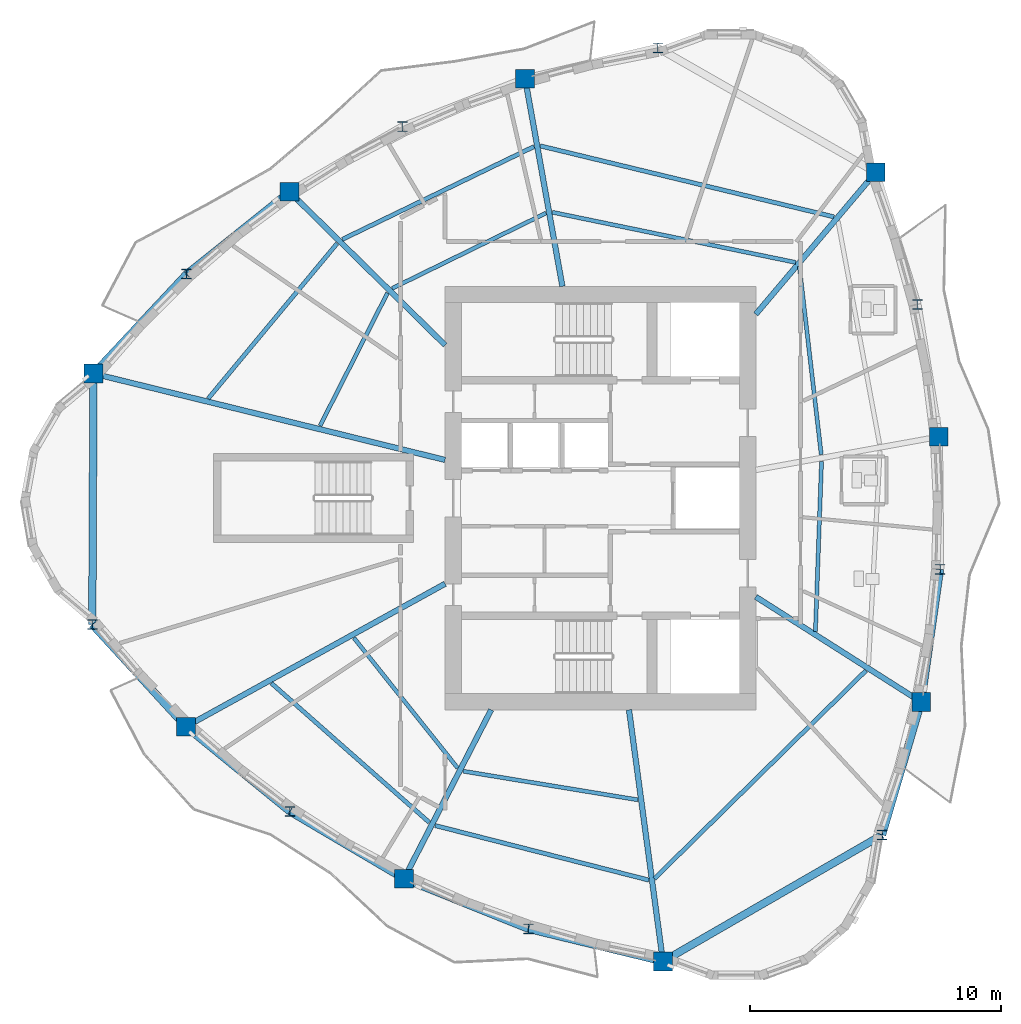
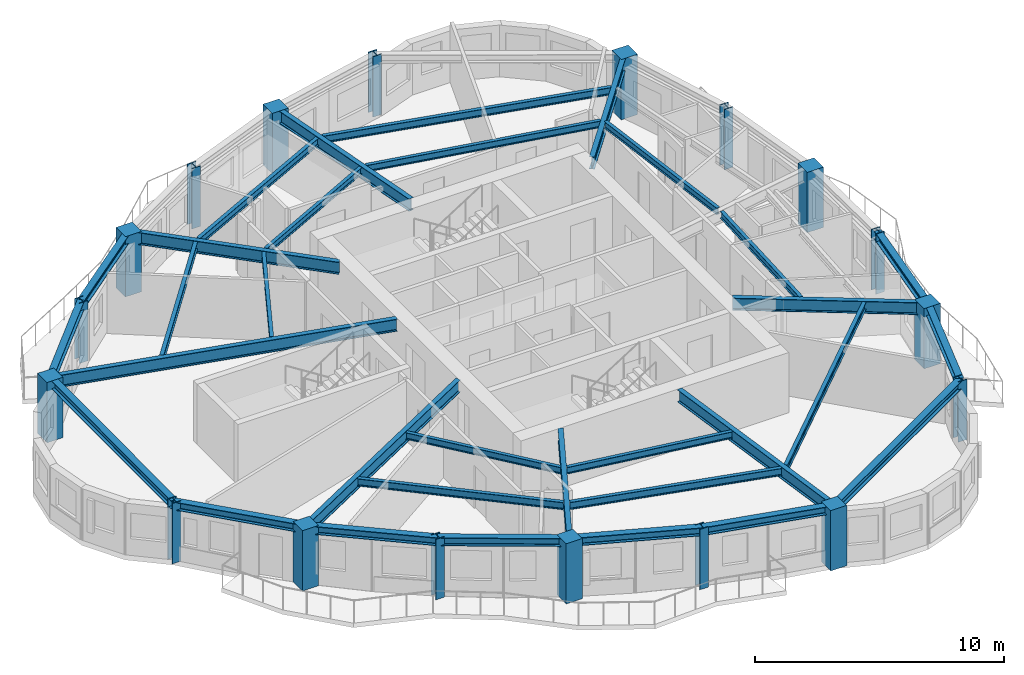
# One storey, part 1 of 12: 32 beams, 18 columns.
"""IFC4 building model written with IfcOpenShell, lengths in metres."""

from ifc_helpers import new_model, si_unit, direction, frame, origin, origin_2d, place, context, subcontext, project, spatial, rectangle, i_section, extrude, source, transform, mapped, material, material_profile, profile_set, type_object, element, save


model = new_model("IFC4")

# Units and contexts
model_context = context("Model", 3, precision=1e-05, world=origin(), true_north=direction((0.0, 1.0)))
body_context = subcontext(model_context, "Body", "Model", "MODEL_VIEW")
ifc_project = project(units=[si_unit("LENGTHUNIT", "METRE"), si_unit("AREAUNIT", "SQUARE_METRE"), si_unit("VOLUMEUNIT", "CUBIC_METRE"), si_unit("PLANEANGLEUNIT", "RADIAN"), si_unit("MASSUNIT", "GRAM", prefix="KILO")], contexts=[model_context])

# Site, building, storey
site_placement = place(None, origin())
site = spatial("IfcSite", under=ifc_project, at=site_placement, CompositionType="ELEMENT")
building_placement = place(site_placement, origin())
building = spatial("IfcBuilding", under=site, at=building_placement, Name="Qafzar Sky-Pleat Residences", CompositionType="ELEMENT")
storey_placement = place(building_placement, frame((0.0, 0.0, 142.60009765625)))
storey = spatial("IfcBuildingStorey", under=building, at=storey_placement, Name="L42", CompositionType="ELEMENT", Elevation=142.60009765625)

# Columns
ifc_material_1 = material(Name="Concrete C60/75", Category="concrete")
ifc_material_profile_1 = material_profile(ifc_material_1, rectangle(XDim=0.75, YDim=0.75, at=origin_2d()), Name="RC 750x750")
ifc_profile_set_1 = profile_set([ifc_material_profile_1], Name="Concrete C60/75")
column_type_1 = type_object("IfcColumnType", Name="COL-RC-750", PredefinedType="COLUMN", material=ifc_profile_set_1)
shared_shape_1 = source(origin(), body_context, "Body", "SweptSolid", [
    extrude(rectangle(XDim=0.75, YDim=0.75, at=origin_2d()), origin(), (0.0, 0.0, 1.0), 2.949951171875),
])
for number, where, z_axis, x_axis, name in (
    (1, (10.118896484375, 30.967529296875, 0.0), (0.0, 0.0, 1.0), (1.0, 0.0, 0.0), "L42 Perimeter Mega Column 1"),
    (2, (13.80810546875, 16.87646484375, 0.0), (0.0, 0.0, 1.0), (1.0, 0.0, 0.0), "L42 Perimeter Mega Column 3"),
    (3, (22.509521484375, 10.806640625, 0.0), (0.0, 0.0, 1.0), (1.0, 0.0, 0.0), "L42 Perimeter Mega Column 5"),
    (4, (32.845458984375, 7.506103515625, 0.0), (0.0, 0.0, 1.0), (1.0, 0.0, 0.0), "L42 Perimeter Mega Column 7"),
    (5, (43.150390625, 17.861572265625, 0.0), (0.0, 0.0, 1.0), (1.0, 0.0, 0.0), "L42 Perimeter Mega Column 9"),
    (6, (43.852294921875, 28.447265625, 0.0), (0.0, 0.0, 1.0), (1.0, 0.0, 0.0), "L42 Perimeter Mega Column 11"),
    (7, (41.33837890625, 39.002197265625, 0.0), (0.0, 0.0, 1.0), (1.0, 0.0, 0.0), "L42 Perimeter Mega Column 13"),
    (8, (27.34423828125, 42.738037109375, 0.0), (0.0, 0.0, 1.0), (1.0, 0.0, 0.0), "L42 Perimeter Mega Column 15"),
    (9, (17.94091796875, 38.221923828125, 0.0), (0.0, 0.0, 1.0), (1.0, 0.0, 0.0), "L42 Perimeter Mega Column 17"),
):
    element("IfcColumn", number, at=place(storey_placement, frame(where, z_axis=z_axis, x_axis=x_axis)), inside=storey, type_object=column_type_1, Name=name, PredefinedType="COLUMN", context=body_context, shape_type="MappedRepresentation", body=[
        mapped(shared_shape_1, transform((0.0, 0.0, 0.0), x_axis=(1.0, 0.0, 0.0), y_axis=(0.0, 1.0, 0.0), z_axis=(0.0, 0.0, 1.0), scale=1.0)),
    ])
ifc_material_2 = material(Name="Steel S355", Category="steel")
ifc_material_profile_2 = material_profile(ifc_material_2, i_section(OverallWidth=0.40087890625, OverallDepth=0.39892578125, WebThickness=0.02294921875, FlangeThickness=0.035888671875, FilletRadius=0.014892578125, at=origin_2d()), Name="HD 400x314")
ifc_profile_set_2 = profile_set([ifc_material_profile_2], Name="Steel S355")
column_type_2 = type_object("IfcColumnType", Name="COL-STL-HD314", PredefinedType="PILASTER", material=ifc_profile_set_2)
shared_shape_2 = source(origin(), body_context, "Body", "SweptSolid", [
    extrude(i_section(OverallWidth=0.40087890625, OverallDepth=0.39892578125, WebThickness=0.02294921875, FlangeThickness=0.035888671875, FilletRadius=0.014892578125, at=origin_2d()), origin(), (0.0, 0.0, 1.0), 2.949951171875),
])
for number, where, z_axis, x_axis, name in (
    (10, (10.070556640625, 20.94970703125, 0.0), (0.0, 0.0, 1.0), (1.0, 0.0, 0.0), "L42 Perimeter Mega Column 2"),
    (11, (17.954345703125, 13.495361328125, 0.0), (0.0, 0.0, 1.0), (1.0, 0.0, 0.0), "L42 Perimeter Mega Column 4"),
    (12, (27.472900390625, 8.810302734375, 0.0), (0.0, 0.0, 1.0), (1.0, 0.0, 0.0), "L42 Perimeter Mega Column 6"),
    (13, (41.593505859375, 12.556884765625, 0.0), (0.0, 0.0, 1.0), (1.0, 0.0, 0.0), "L42 Perimeter Mega Column 8"),
    (14, (43.9033203125, 23.158203125, 0.0), (0.0, 0.0, 1.0), (1.0, 0.0, 0.0), "L42 Perimeter Mega Column 10"),
    (15, (42.997314453125, 33.728759765625, 0.0), (0.0, 0.0, 1.0), (1.0, 0.0, 0.0), "L42 Perimeter Mega Column 12"),
    (16, (32.638671875, 43.96923828125, 0.0), (0.0, 0.0, 1.0), (1.0, 0.0, 0.0), "L42 Perimeter Mega Column 14"),
    (17, (22.445068359375, 40.822265625, 0.0), (0.0, 0.0, 1.0), (1.0, 0.0, 0.0), "L42 Perimeter Mega Column 16"),
    (18, (13.832275390625, 34.93701171875, 0.0), (0.0, 0.0, 1.0), (1.0, 0.0, 0.0), "L42 Perimeter Mega Column 18"),
):
    element("IfcColumn", number, at=place(storey_placement, frame(where, z_axis=z_axis, x_axis=x_axis)), inside=storey, type_object=column_type_2, Name=name, PredefinedType="PILASTER", context=body_context, shape_type="MappedRepresentation", body=[
        mapped(shared_shape_2, transform((0.0, 0.0, 0.0), x_axis=(1.0, 0.0, 0.0), y_axis=(0.0, 1.0, 0.0), z_axis=(0.0, 0.0, 1.0), scale=1.0)),
    ])

# Beams
ifc_material_profile_3 = material_profile(ifc_material_2, i_section(OverallWidth=0.300048828125, OverallDepth=0.39990234375, WebThickness=0.013427734375, FlangeThickness=0.02392578125, FilletRadius=0.027099609375, at=origin_2d()), Name="HEB 400")
ifc_profile_set_3 = profile_set([ifc_material_profile_3], Name="Steel S355")
beam_type_1 = type_object("IfcBeamType", Name="BM-SPAN-HEB400", PredefinedType="SPANDREL", material=ifc_profile_set_3)
shared_shape_3 = source(origin(), body_context, "Body", "SweptSolid", [
    extrude(i_section(OverallWidth=0.300048828125, OverallDepth=0.39990234375, WebThickness=0.013427734375, FlangeThickness=0.02392578125, FilletRadius=0.027099609375, at=origin_2d()), origin(), (0.0, 0.0, 1.0), 10.017822265625),
])
beam_1_placement = place(storey_placement, frame((10.118896484375, 30.967529296875, 2.747802734375), z_axis=(-0.00482532827, -0.999988358036, 0.0), x_axis=(0.999988358036, -0.00482532827, 0.0)))
element("IfcBeam", 19, at=beam_1_placement, inside=storey, type_object=beam_type_1, Name="L42 Perimeter Spandrel Beam 1", PredefinedType="SPANDREL", context=body_context, shape_type="MappedRepresentation", body=[
    mapped(shared_shape_3, transform((0.0, 0.0, 0.0), x_axis=(1.0, 0.0, 0.0), y_axis=(0.0, 1.0, 0.0), z_axis=(0.0, 0.0, 1.0), scale=1.0)),
])
shared_shape_4 = source(origin(), body_context, "Body", "SweptSolid", [
    extrude(i_section(OverallWidth=0.300048828125, OverallDepth=0.39990234375, WebThickness=0.013427734375, FlangeThickness=0.02392578125, FilletRadius=0.027099609375, at=origin_2d()), origin(), (0.0, 0.0, 1.0), 5.528076171875),
])
beam_2_placement = place(storey_placement, frame((10.070556640625, 20.94970703125, 2.747802734375), z_axis=(0.676092514403, -0.736816742459, 0.0), x_axis=(0.736816742459, 0.676092514403, 0.0)))
element("IfcBeam", 20, at=beam_2_placement, inside=storey, type_object=beam_type_1, Name="L42 Perimeter Spandrel Beam 2", PredefinedType="SPANDREL", context=body_context, shape_type="MappedRepresentation", body=[
    mapped(shared_shape_4, transform((0.0, 0.0, 0.0), x_axis=(1.0, 0.0, 0.0), y_axis=(0.0, 1.0, 0.0), z_axis=(0.0, 0.0, 1.0), scale=1.0)),
])
shared_shape_5 = source(origin(), body_context, "Body", "SweptSolid", [
    extrude(i_section(OverallWidth=0.300048828125, OverallDepth=0.39990234375, WebThickness=0.013427734375, FlangeThickness=0.02392578125, FilletRadius=0.027099609375, at=origin_2d()), origin(), (0.0, 0.0, 1.0), 5.35009765625),
])
beam_3_placement = place(storey_placement, frame((13.80810546875, 16.87646484375, 2.747802734375), z_axis=(0.774989116833, -0.631974579228, 0.0), x_axis=(0.631974579228, 0.774989116833, 0.0)))
element("IfcBeam", 21, at=beam_3_placement, inside=storey, type_object=beam_type_1, Name="L42 Perimeter Spandrel Beam 3", PredefinedType="SPANDREL", context=body_context, shape_type="MappedRepresentation", body=[
    mapped(shared_shape_5, transform((0.0, 0.0, 0.0), x_axis=(1.0, 0.0, 0.0), y_axis=(0.0, 1.0, 0.0), z_axis=(0.0, 0.0, 1.0), scale=1.0)),
])
shared_shape_6 = source(origin(), body_context, "Body", "SweptSolid", [
    extrude(i_section(OverallWidth=0.300048828125, OverallDepth=0.39990234375, WebThickness=0.013427734375, FlangeThickness=0.02392578125, FilletRadius=0.027099609375, at=origin_2d()), origin(), (0.0, 0.0, 1.0), 5.28955078125),
])
beam_4_placement = place(storey_placement, frame((17.954345703125, 13.495361328125, 2.747802734375), z_axis=(0.861172685221, -0.508312508433, 0.0), x_axis=(0.508312508433, 0.861172685221, 0.0)))
element("IfcBeam", 22, at=beam_4_placement, inside=storey, type_object=beam_type_1, Name="L42 Perimeter Spandrel Beam 4", PredefinedType="SPANDREL", context=body_context, shape_type="MappedRepresentation", body=[
    mapped(shared_shape_6, transform((0.0, 0.0, 0.0), x_axis=(1.0, 0.0, 0.0), y_axis=(0.0, 1.0, 0.0), z_axis=(0.0, 0.0, 1.0), scale=1.0)),
])
shared_shape_7 = source(origin(), body_context, "Body", "SweptSolid", [
    extrude(i_section(OverallWidth=0.300048828125, OverallDepth=0.39990234375, WebThickness=0.013427734375, FlangeThickness=0.02392578125, FilletRadius=0.027099609375, at=origin_2d()), origin(), (0.0, 0.0, 1.0), 5.349853515625),
])
for number, where, z_axis, x_axis, name in (
    (23, (22.509521484375, 10.806640625, 2.747802734375), (0.927766868226, -0.373160338489, 0.0), (0.373160338489, 0.927766868226, 0.0), "L42 Perimeter Spandrel Beam 5"),
    (24, (43.150390625, 17.861572265625, 2.747802734375), (0.140737713263, 0.990046916093, 0.0), (-0.990046916093, 0.140737713263, 0.0), "L42 Perimeter Spandrel Beam 9"),
):
    element("IfcBeam", number, at=place(storey_placement, frame(where, z_axis=z_axis, x_axis=x_axis)), inside=storey, type_object=beam_type_1, Name=name, PredefinedType="SPANDREL", context=body_context, shape_type="MappedRepresentation", body=[
        mapped(shared_shape_7, transform((0.0, 0.0, 0.0), x_axis=(1.0, 0.0, 0.0), y_axis=(0.0, 1.0, 0.0), z_axis=(0.0, 0.0, 1.0), scale=1.0)),
    ])
shared_shape_8 = source(origin(), body_context, "Body", "SweptSolid", [
    extrude(i_section(OverallWidth=0.300048828125, OverallDepth=0.39990234375, WebThickness=0.013427734375, FlangeThickness=0.02392578125, FilletRadius=0.027099609375, at=origin_2d()), origin(), (0.0, 0.0, 1.0), 5.528564453125),
])
beam_5_placement = place(storey_placement, frame((27.472900390625, 8.810302734375, 2.747802734375), z_axis=(0.971777136358, -0.235900820795, 0.0), x_axis=(0.235900820795, 0.971777136358, 0.0)))
element("IfcBeam", 25, at=beam_5_placement, inside=storey, type_object=beam_type_1, Name="L42 Perimeter Spandrel Beam 6", PredefinedType="SPANDREL", context=body_context, shape_type="MappedRepresentation", body=[
    mapped(shared_shape_8, transform((0.0, 0.0, 0.0), x_axis=(1.0, 0.0, 0.0), y_axis=(0.0, 1.0, 0.0), z_axis=(0.0, 0.0, 1.0), scale=1.0)),
])
shared_shape_9 = source(origin(), body_context, "Body", "SweptSolid", [
    extrude(i_section(OverallWidth=0.300048828125, OverallDepth=0.39990234375, WebThickness=0.013427734375, FlangeThickness=0.02392578125, FilletRadius=0.027099609375, at=origin_2d()), origin(), (0.0, 0.0, 1.0), 10.101318359375),
])
beam_6_placement = place(storey_placement, frame((32.845458984375, 7.506103515625, 2.747802734375), z_axis=(0.86602137294, 0.500006981563, 0.0), x_axis=(-0.500006981563, 0.86602137294, 0.0)))
element("IfcBeam", 26, at=beam_6_placement, inside=storey, type_object=beam_type_1, Name="L42 Perimeter Spandrel Beam 7", PredefinedType="SPANDREL", context=body_context, shape_type="MappedRepresentation", body=[
    mapped(shared_shape_9, transform((0.0, 0.0, 0.0), x_axis=(1.0, 0.0, 0.0), y_axis=(0.0, 1.0, 0.0), z_axis=(0.0, 0.0, 1.0), scale=1.0)),
])
shared_shape_10 = source(origin(), body_context, "Body", "SweptSolid", [
    extrude(i_section(OverallWidth=0.300048828125, OverallDepth=0.39990234375, WebThickness=0.013427734375, FlangeThickness=0.02392578125, FilletRadius=0.027099609375, at=origin_2d()), origin(), (0.0, 0.0, 1.0), 5.5283203125),
])
beam_7_placement = place(storey_placement, frame((41.593505859375, 12.556884765625, 2.747802734375), z_axis=(0.281613984851, 0.959527781534, 0.0), x_axis=(-0.959527781534, 0.281613984851, 0.0)))
element("IfcBeam", 27, at=beam_7_placement, inside=storey, type_object=beam_type_1, Name="L42 Perimeter Spandrel Beam 8", PredefinedType="SPANDREL", context=body_context, shape_type="MappedRepresentation", body=[
    mapped(shared_shape_10, transform((0.0, 0.0, 0.0), x_axis=(1.0, 0.0, 0.0), y_axis=(0.0, 1.0, 0.0), z_axis=(0.0, 0.0, 1.0), scale=1.0)),
])
shared_shape_11 = source(origin(), body_context, "Body", "SweptSolid", [
    extrude(i_section(OverallWidth=0.300048828125, OverallDepth=0.39990234375, WebThickness=0.013427734375, FlangeThickness=0.02392578125, FilletRadius=0.027099609375, at=origin_2d()), origin(), (0.0, 0.0, 1.0), 5.260498046875),
])
beam_8_placement = place(storey_placement, frame((17.94091796875, 38.221923828125, 2.747802734375), z_axis=(-0.781054419842, -0.62446296387, 0.0), x_axis=(0.62446296387, -0.781054419842, 0.0)))
element("IfcBeam", 28, at=beam_8_placement, inside=storey, type_object=beam_type_1, Name="L42 Perimeter Spandrel Beam 17", PredefinedType="SPANDREL", context=body_context, shape_type="MappedRepresentation", body=[
    mapped(shared_shape_11, transform((0.0, 0.0, 0.0), x_axis=(1.0, 0.0, 0.0), y_axis=(0.0, 1.0, 0.0), z_axis=(0.0, 0.0, 1.0), scale=1.0)),
])
shared_shape_12 = source(origin(), body_context, "Body", "SweptSolid", [
    extrude(i_section(OverallWidth=0.300048828125, OverallDepth=0.39990234375, WebThickness=0.013427734375, FlangeThickness=0.02392578125, FilletRadius=0.027099609375, at=origin_2d()), origin(), (0.0, 0.0, 1.0), 5.435546875),
])
beam_9_placement = place(storey_placement, frame((13.832275390625, 34.93701171875, 2.747802734375), z_axis=(-0.683156356099, -0.730272136345, 0.0), x_axis=(0.730272136345, -0.683156356099, 0.0)))
element("IfcBeam", 29, at=beam_9_placement, inside=storey, type_object=beam_type_1, Name="L42 Perimeter Spandrel Beam 18", PredefinedType="SPANDREL", context=body_context, shape_type="MappedRepresentation", body=[
    mapped(shared_shape_12, transform((0.0, 0.0, 0.0), x_axis=(1.0, 0.0, 0.0), y_axis=(0.0, 1.0, 0.0), z_axis=(0.0, 0.0, 1.0), scale=1.0)),
])
ifc_material_profile_4 = material_profile(ifc_material_2, i_section(OverallWidth=0.219970703125, OverallDepth=0.60009765625, WebThickness=0.011962890625, FlangeThickness=0.01904296875, FilletRadius=0.02392578125, at=origin_2d()), Name="IPE 600")
ifc_profile_set_4 = profile_set([ifc_material_profile_4], Name="Steel S355")
beam_type_2 = type_object("IfcBeamType", Name="BM-SEC-IPE600", PredefinedType="BEAM", material=ifc_profile_set_4)
shared_shape_13 = source(origin(), body_context, "Body", "SweptSolid", [
    extrude(i_section(OverallWidth=0.219970703125, OverallDepth=0.60009765625, WebThickness=0.011962890625, FlangeThickness=0.01904296875, FilletRadius=0.02392578125, at=origin_2d()), origin(), (0.0, 0.0, 1.0), 14.44775390625),
])
beam_10_placement = place(storey_placement, frame((10.118896484375, 30.967529296875, 2.64794921875), z_axis=(0.971150841514, -0.238466020696, 0.0), x_axis=(0.238466020696, 0.971150841514, 0.0)))
element("IfcBeam", 30, at=beam_10_placement, inside=storey, type_object=beam_type_2, Name="L42 Radial Floor Girder 1", PredefinedType="BEAM", context=body_context, shape_type="MappedRepresentation", body=[
    mapped(shared_shape_13, transform((0.0, 0.0, 0.0), x_axis=(1.0, 0.0, 0.0), y_axis=(0.0, 1.0, 0.0), z_axis=(0.0, 0.0, 1.0), scale=1.0)),
])
shared_shape_14 = source(origin(), body_context, "Body", "SweptSolid", [
    extrude(i_section(OverallWidth=0.219970703125, OverallDepth=0.60009765625, WebThickness=0.011962890625, FlangeThickness=0.01904296875, FilletRadius=0.02392578125, at=origin_2d()), origin(), (0.0, 0.0, 1.0), 11.810546875),
])
beam_11_placement = place(storey_placement, frame((13.80810546875, 16.87646484375, 2.64794921875), z_axis=(0.875647924206, 0.482950010699, 0.0), x_axis=(-0.482950010699, 0.875647924206, 0.0)))
element("IfcBeam", 31, at=beam_11_placement, inside=storey, type_object=beam_type_2, Name="L42 Radial Floor Girder 3", PredefinedType="BEAM", context=body_context, shape_type="MappedRepresentation", body=[
    mapped(shared_shape_14, transform((0.0, 0.0, 0.0), x_axis=(1.0, 0.0, 0.0), y_axis=(0.0, 1.0, 0.0), z_axis=(0.0, 0.0, 1.0), scale=1.0)),
])
shared_shape_15 = source(origin(), body_context, "Body", "SweptSolid", [
    extrude(i_section(OverallWidth=0.219970703125, OverallDepth=0.60009765625, WebThickness=0.011962890625, FlangeThickness=0.01904296875, FilletRadius=0.02392578125, at=origin_2d()), origin(), (0.0, 0.0, 1.0), 7.58837890625),
])
beam_12_placement = place(storey_placement, frame((22.509521484375, 10.806640625, 2.64794921875), z_axis=(0.458592108619, 0.888646880326, 0.0), x_axis=(-0.888646880326, 0.458592108619, 0.0)))
element("IfcBeam", 32, at=beam_12_placement, inside=storey, type_object=beam_type_2, Name="L42 Radial Floor Girder 5", PredefinedType="BEAM", context=body_context, shape_type="MappedRepresentation", body=[
    mapped(shared_shape_15, transform((0.0, 0.0, 0.0), x_axis=(1.0, 0.0, 0.0), y_axis=(0.0, 1.0, 0.0), z_axis=(0.0, 0.0, 1.0), scale=1.0)),
])
shared_shape_16 = source(origin(), body_context, "Body", "SweptSolid", [
    extrude(i_section(OverallWidth=0.219970703125, OverallDepth=0.60009765625, WebThickness=0.011962890625, FlangeThickness=0.01904296875, FilletRadius=0.02392578125, at=origin_2d()), origin(), (0.0, 0.0, 1.0), 10.135009765625),
])
beam_13_placement = place(storey_placement, frame((32.845458984375, 7.506103515625, 2.64794921875), z_axis=(-0.133717768347, 0.991019454112, 0.0), x_axis=(-0.991019454112, -0.133717768347, 0.0)))
element("IfcBeam", 33, at=beam_13_placement, inside=storey, type_object=beam_type_2, Name="L42 Radial Floor Girder 7", PredefinedType="BEAM", context=body_context, shape_type="MappedRepresentation", body=[
    mapped(shared_shape_16, transform((0.0, 0.0, 0.0), x_axis=(1.0, 0.0, 0.0), y_axis=(0.0, 1.0, 0.0), z_axis=(0.0, 0.0, 1.0), scale=1.0)),
])
shared_shape_17 = source(origin(), body_context, "Body", "SweptSolid", [
    extrude(i_section(OverallWidth=0.219970703125, OverallDepth=0.60009765625, WebThickness=0.011962890625, FlangeThickness=0.01904296875, FilletRadius=0.02392578125, at=origin_2d()), origin(), (0.0, 0.0, 1.0), 7.821533203125),
])
beam_14_placement = place(storey_placement, frame((43.150390625, 17.861572265625, 2.64794921875), z_axis=(-0.843874779066, 0.536540173012, 0.0), x_axis=(-0.536540173012, -0.843874779066, 0.0)))
element("IfcBeam", 34, at=beam_14_placement, inside=storey, type_object=beam_type_2, Name="L42 Radial Floor Girder 9", PredefinedType="BEAM", context=body_context, shape_type="MappedRepresentation", body=[
    mapped(shared_shape_17, transform((0.0, 0.0, 0.0), x_axis=(1.0, 0.0, 0.0), y_axis=(0.0, 1.0, 0.0), z_axis=(0.0, 0.0, 1.0), scale=1.0)),
])
shared_shape_18 = source(origin(), body_context, "Body", "SweptSolid", [
    extrude(i_section(OverallWidth=0.219970703125, OverallDepth=0.60009765625, WebThickness=0.011962890625, FlangeThickness=0.01904296875, FilletRadius=0.02392578125, at=origin_2d()), origin(), (0.0, 0.0, 1.0), 7.41845703125),
])
beam_15_placement = place(storey_placement, frame((41.33837890625, 39.002197265625, 2.64794921875), z_axis=(-0.645471500126, -0.763784356036, 0.0), x_axis=(0.763784356036, -0.645471500126, 0.0)))
element("IfcBeam", 35, at=beam_15_placement, inside=storey, type_object=beam_type_2, Name="L42 Radial Floor Girder 13", PredefinedType="BEAM", context=body_context, shape_type="MappedRepresentation", body=[
    mapped(shared_shape_18, transform((0.0, 0.0, 0.0), x_axis=(1.0, 0.0, 0.0), y_axis=(0.0, 1.0, 0.0), z_axis=(0.0, 0.0, 1.0), scale=1.0)),
])
shared_shape_19 = source(origin(), body_context, "Body", "SweptSolid", [
    extrude(i_section(OverallWidth=0.219970703125, OverallDepth=0.60009765625, WebThickness=0.011962890625, FlangeThickness=0.01904296875, FilletRadius=0.02392578125, at=origin_2d()), origin(), (0.0, 0.0, 1.0), 8.420654296875),
])
beam_16_placement = place(storey_placement, frame((27.34423828125, 42.738037109375, 2.64794921875), z_axis=(0.176741844964, -0.984257242919, 0.0), x_axis=(0.984257242919, 0.176741844964, 0.0)))
element("IfcBeam", 36, at=beam_16_placement, inside=storey, type_object=beam_type_2, Name="L42 Radial Floor Girder 15", PredefinedType="BEAM", context=body_context, shape_type="MappedRepresentation", body=[
    mapped(shared_shape_19, transform((0.0, 0.0, 0.0), x_axis=(1.0, 0.0, 0.0), y_axis=(0.0, 1.0, 0.0), z_axis=(0.0, 0.0, 1.0), scale=1.0)),
])
shared_shape_20 = source(origin(), body_context, "Body", "SweptSolid", [
    extrude(i_section(OverallWidth=0.219970703125, OverallDepth=0.60009765625, WebThickness=0.011962890625, FlangeThickness=0.01904296875, FilletRadius=0.02392578125, at=origin_2d()), origin(), (0.0, 0.0, 1.0), 8.71484375),
])
beam_17_placement = place(storey_placement, frame((17.94091796875, 38.221923828125, 2.64794921875), z_axis=(0.712465109952, -0.701707536728, 0.0), x_axis=(0.701707536728, 0.712465109952, 0.0)))
element("IfcBeam", 37, at=beam_17_placement, inside=storey, type_object=beam_type_2, Name="L42 Radial Floor Girder 17", PredefinedType="BEAM", context=body_context, shape_type="MappedRepresentation", body=[
    mapped(shared_shape_20, transform((0.0, 0.0, 0.0), x_axis=(1.0, 0.0, 0.0), y_axis=(0.0, 1.0, 0.0), z_axis=(0.0, 0.0, 1.0), scale=1.0)),
])
ifc_material_profile_5 = material_profile(ifc_material_2, i_section(OverallWidth=0.169921875, OverallDepth=0.360107421875, WebThickness=0.008056640625, FlangeThickness=0.0126953125, FilletRadius=0.01806640625, at=origin_2d()), Name="IPE 360")
ifc_profile_set_5 = profile_set([ifc_material_profile_5], Name="Steel S355")
beam_type_3 = type_object("IfcBeamType", Name="BM-JST-IPE360", PredefinedType="JOIST", material=ifc_profile_set_5)
shared_shape_21 = source(origin(), body_context, "Body", "SweptSolid", [
    extrude(i_section(OverallWidth=0.169921875, OverallDepth=0.360107421875, WebThickness=0.008056640625, FlangeThickness=0.0126953125, FilletRadius=0.01806640625, at=origin_2d()), origin(), (0.0, 0.0, 1.0), 8.40380859375),
])
beam_18_placement = place(storey_placement, frame((17.21875, 18.6123046875, 2.767822265625), z_axis=(0.750006540858, -0.661430411057, 0.0), x_axis=(0.661430411057, 0.750006540858, 0.0)))
element("IfcBeam", 38, at=beam_18_placement, inside=storey, type_object=beam_type_3, Name="L42 Outer Secondary Floor Joist 2", PredefinedType="JOIST", context=body_context, shape_type="MappedRepresentation", body=[
    mapped(shared_shape_21, transform((0.0, 0.0, 0.0), x_axis=(1.0, 0.0, 0.0), y_axis=(0.0, 1.0, 0.0), z_axis=(0.0, 0.0, 1.0), scale=1.0)),
])
shared_shape_22 = source(origin(), body_context, "Body", "SweptSolid", [
    extrude(i_section(OverallWidth=0.169921875, OverallDepth=0.360107421875, WebThickness=0.008056640625, FlangeThickness=0.0126953125, FilletRadius=0.01806640625, at=origin_2d()), origin(), (0.0, 0.0, 1.0), 8.80078125),
])
beam_19_placement = place(storey_placement, frame((23.75390625, 12.93115234375, 2.767822265625), z_axis=(0.968907948076, -0.247421478767, 0.0), x_axis=(0.247421478767, 0.968907948076, 0.0)))
element("IfcBeam", 39, at=beam_19_placement, inside=storey, type_object=beam_type_3, Name="L42 Outer Secondary Floor Joist 3", PredefinedType="JOIST", context=body_context, shape_type="MappedRepresentation", body=[
    mapped(shared_shape_22, transform((0.0, 0.0, 0.0), x_axis=(1.0, 0.0, 0.0), y_axis=(0.0, 1.0, 0.0), z_axis=(0.0, 0.0, 1.0), scale=1.0)),
])
shared_shape_23 = source(origin(), body_context, "Body", "SweptSolid", [
    extrude(i_section(OverallWidth=0.169921875, OverallDepth=0.360107421875, WebThickness=0.008056640625, FlangeThickness=0.0126953125, FilletRadius=0.01806640625, at=origin_2d()), origin(), (0.0, 0.0, 1.0), 11.829345703125),
])
beam_20_placement = place(storey_placement, frame((32.508056640625, 10.81494140625, 2.767822265625), z_axis=(0.712964349337, 0.701200282783, 0.0), x_axis=(-0.701200282783, 0.712964349337, 0.0)))
element("IfcBeam", 40, at=beam_20_placement, inside=storey, type_object=beam_type_3, Name="L42 Outer Secondary Floor Joist 4", PredefinedType="JOIST", context=body_context, shape_type="MappedRepresentation", body=[
    mapped(shared_shape_23, transform((0.0, 0.0, 0.0), x_axis=(1.0, 0.0, 0.0), y_axis=(0.0, 1.0, 0.0), z_axis=(0.0, 0.0, 1.0), scale=1.0)),
])
shared_shape_24 = source(origin(), body_context, "Body", "SweptSolid", [
    extrude(i_section(OverallWidth=0.169921875, OverallDepth=0.360107421875, WebThickness=0.008056640625, FlangeThickness=0.0126953125, FilletRadius=0.01806640625, at=origin_2d()), origin(), (0.0, 0.0, 1.0), 12.060791015625),
])
beam_21_placement = place(storey_placement, frame((39.6748046875, 37.220703125, 2.767822265625), z_axis=(-0.972010836803, 0.234936019242, 0.0), x_axis=(-0.234936019242, -0.972010836803, 0.0)))
element("IfcBeam", 41, at=beam_21_placement, inside=storey, type_object=beam_type_3, Name="L42 Outer Secondary Floor Joist 7", PredefinedType="JOIST", context=body_context, shape_type="MappedRepresentation", body=[
    mapped(shared_shape_24, transform((0.0, 0.0, 0.0), x_axis=(1.0, 0.0, 0.0), y_axis=(0.0, 1.0, 0.0), z_axis=(0.0, 0.0, 1.0), scale=1.0)),
])
shared_shape_25 = source(origin(), body_context, "Body", "SweptSolid", [
    extrude(i_section(OverallWidth=0.169921875, OverallDepth=0.360107421875, WebThickness=0.008056640625, FlangeThickness=0.0126953125, FilletRadius=0.01806640625, at=origin_2d()), origin(), (0.0, 0.0, 1.0), 8.498779296875),
])
beam_22_placement = place(storey_placement, frame((27.698974609375, 40.027099609375, 2.767822265625), z_axis=(-0.900081850531, -0.435720853696, 0.0), x_axis=(0.435720853696, -0.900081850531, 0.0)))
element("IfcBeam", 42, at=beam_22_placement, inside=storey, type_object=beam_type_3, Name="L42 Outer Secondary Floor Joist 8", PredefinedType="JOIST", context=body_context, shape_type="MappedRepresentation", body=[
    mapped(shared_shape_25, transform((0.0, 0.0, 0.0), x_axis=(1.0, 0.0, 0.0), y_axis=(0.0, 1.0, 0.0), z_axis=(0.0, 0.0, 1.0), scale=1.0)),
])
shared_shape_26 = source(origin(), body_context, "Body", "SweptSolid", [
    extrude(i_section(OverallWidth=0.169921875, OverallDepth=0.360107421875, WebThickness=0.008056640625, FlangeThickness=0.0126953125, FilletRadius=0.01806640625, at=origin_2d()), origin(), (0.0, 0.0, 1.0), 8.0517578125),
])
beam_23_placement = place(storey_placement, frame((19.841552734375, 36.1611328125, 2.767822265625), z_axis=(-0.639184728214, -0.769053238221, 0.0), x_axis=(0.769053238221, -0.639184728214, 0.0)))
element("IfcBeam", 43, at=beam_23_placement, inside=storey, type_object=beam_type_3, Name="L42 Outer Secondary Floor Joist 9", PredefinedType="JOIST", context=body_context, shape_type="MappedRepresentation", body=[
    mapped(shared_shape_26, transform((0.0, 0.0, 0.0), x_axis=(1.0, 0.0, 0.0), y_axis=(0.0, 1.0, 0.0), z_axis=(0.0, 0.0, 1.0), scale=1.0)),
])
ifc_material_profile_6 = material_profile(ifc_material_2, i_section(OverallWidth=0.159912109375, OverallDepth=0.330078125, WebThickness=0.007568359375, FlangeThickness=0.011474609375, FilletRadius=0.01806640625, at=origin_2d()), Name="IPE 330")
ifc_profile_set_6 = profile_set([ifc_material_profile_6], Name="Steel S355")
beam_type_4 = type_object("IfcBeamType", Name="BM-JST-IPE330", PredefinedType="JOIST", material=ifc_profile_set_6)
shared_shape_27 = source(origin(), body_context, "Body", "SweptSolid", [
    extrude(i_section(OverallWidth=0.159912109375, OverallDepth=0.330078125, WebThickness=0.007568359375, FlangeThickness=0.011474609375, FilletRadius=0.01806640625, at=origin_2d()), origin(), (0.0, 0.0, 1.0), 6.642578125),
])
beam_24_placement = place(storey_placement, frame((20.510986328125, 20.42138671875, 2.782958984375), z_axis=(0.623452700646, -0.781861068257, 0.0), x_axis=(0.781861068257, 0.623452700646, 0.0)))
element("IfcBeam", 44, at=beam_24_placement, inside=storey, type_object=beam_type_4, Name="L42 Inner Secondary Floor Joist 2", PredefinedType="JOIST", context=body_context, shape_type="MappedRepresentation", body=[
    mapped(shared_shape_27, transform((0.0, 0.0, 0.0), x_axis=(1.0, 0.0, 0.0), y_axis=(0.0, 1.0, 0.0), z_axis=(0.0, 0.0, 1.0), scale=1.0)),
])
shared_shape_28 = source(origin(), body_context, "Body", "SweptSolid", [
    extrude(i_section(OverallWidth=0.159912109375, OverallDepth=0.330078125, WebThickness=0.007568359375, FlangeThickness=0.011474609375, FilletRadius=0.01806640625, at=origin_2d()), origin(), (0.0, 0.0, 1.0), 7.068359375),
])
beam_25_placement = place(storey_placement, frame((24.869873046875, 15.1005859375, 2.782958984375), z_axis=(0.986803428239, -0.161922802646, 0.0), x_axis=(0.161922802646, 0.986803428239, 0.0)))
element("IfcBeam", 45, at=beam_25_placement, inside=storey, type_object=beam_type_4, Name="L42 Inner Secondary Floor Joist 3", PredefinedType="JOIST", context=body_context, shape_type="MappedRepresentation", body=[
    mapped(shared_shape_28, transform((0.0, 0.0, 0.0), x_axis=(1.0, 0.0, 0.0), y_axis=(0.0, 1.0, 0.0), z_axis=(0.0, 0.0, 1.0), scale=1.0)),
])
shared_shape_29 = source(origin(), body_context, "Body", "SweptSolid", [
    extrude(i_section(OverallWidth=0.159912109375, OverallDepth=0.330078125, WebThickness=0.007568359375, FlangeThickness=0.011474609375, FilletRadius=0.01806640625, at=origin_2d()), origin(), (0.0, 0.0, 1.0), 6.78759765625),
])
beam_26_placement = place(storey_placement, frame((38.930908203125, 20.68212890625, 2.782958984375), z_axis=(0.035824958531, 0.999358080143, 0.0), x_axis=(-0.999358080143, 0.035824958531, 0.0)))
element("IfcBeam", 46, at=beam_26_placement, inside=storey, type_object=beam_type_4, Name="L42 Inner Secondary Floor Joist 5", PredefinedType="JOIST", context=body_context, shape_type="MappedRepresentation", body=[
    mapped(shared_shape_29, transform((0.0, 0.0, 0.0), x_axis=(1.0, 0.0, 0.0), y_axis=(0.0, 1.0, 0.0), z_axis=(0.0, 0.0, 1.0), scale=1.0)),
])
shared_shape_30 = source(origin(), body_context, "Body", "SweptSolid", [
    extrude(i_section(OverallWidth=0.159912109375, OverallDepth=0.330078125, WebThickness=0.007568359375, FlangeThickness=0.011474609375, FilletRadius=0.01806640625, at=origin_2d()), origin(), (0.0, 0.0, 1.0), 7.558349609375),
])
beam_27_placement = place(storey_placement, frame((39.1630859375, 27.734375, 2.782958984375), z_axis=(-0.115606103691, 0.993295136799, 0.0), x_axis=(-0.993295136799, -0.115606103691, 0.0)))
element("IfcBeam", 47, at=beam_27_placement, inside=storey, type_object=beam_type_4, Name="L42 Inner Secondary Floor Joist 6", PredefinedType="JOIST", context=body_context, shape_type="MappedRepresentation", body=[
    mapped(shared_shape_30, transform((0.0, 0.0, 0.0), x_axis=(1.0, 0.0, 0.0), y_axis=(0.0, 1.0, 0.0), z_axis=(0.0, 0.0, 1.0), scale=1.0)),
])
shared_shape_31 = source(origin(), body_context, "Body", "SweptSolid", [
    extrude(i_section(OverallWidth=0.159912109375, OverallDepth=0.330078125, WebThickness=0.007568359375, FlangeThickness=0.011474609375, FilletRadius=0.01806640625, at=origin_2d()), origin(), (0.0, 0.0, 1.0), 9.9169921875),
])
beam_28_placement = place(storey_placement, frame((38.1416015625, 35.4033203125, 2.782958984375), z_axis=(-0.979387052241, 0.201992578831, 0.0), x_axis=(-0.201992578831, -0.979387052241, 0.0)))
element("IfcBeam", 48, at=beam_28_placement, inside=storey, type_object=beam_type_4, Name="L42 Inner Secondary Floor Joist 7", PredefinedType="JOIST", context=body_context, shape_type="MappedRepresentation", body=[
    mapped(shared_shape_31, transform((0.0, 0.0, 0.0), x_axis=(1.0, 0.0, 0.0), y_axis=(0.0, 1.0, 0.0), z_axis=(0.0, 0.0, 1.0), scale=1.0)),
])
shared_shape_32 = source(origin(), body_context, "Body", "SweptSolid", [
    extrude(i_section(OverallWidth=0.159912109375, OverallDepth=0.330078125, WebThickness=0.007568359375, FlangeThickness=0.011474609375, FilletRadius=0.01806640625, at=origin_2d()), origin(), (0.0, 0.0, 1.0), 6.83642578125),
])
beam_29_placement = place(storey_placement, frame((28.175537109375, 37.374267578125, 2.782958984375), z_axis=(-0.898082284452, -0.439827477943, 0.0), x_axis=(0.439827477943, -0.898082284452, 0.0)))
element("IfcBeam", 49, at=beam_29_placement, inside=storey, type_object=beam_type_4, Name="L42 Inner Secondary Floor Joist 8", PredefinedType="JOIST", context=body_context, shape_type="MappedRepresentation", body=[
    mapped(shared_shape_32, transform((0.0, 0.0, 0.0), x_axis=(1.0, 0.0, 0.0), y_axis=(0.0, 1.0, 0.0), z_axis=(0.0, 0.0, 1.0), scale=1.0)),
])
shared_shape_33 = source(origin(), body_context, "Body", "SweptSolid", [
    extrude(i_section(OverallWidth=0.159912109375, OverallDepth=0.330078125, WebThickness=0.007568359375, FlangeThickness=0.011474609375, FilletRadius=0.01806640625, at=origin_2d()), origin(), (0.0, 0.0, 1.0), 5.94970703125),
])
beam_30_placement = place(storey_placement, frame((21.853515625, 34.187744140625, 2.782958984375), z_axis=(-0.45273652912, -0.891644343447, 0.0), x_axis=(0.891644343447, -0.45273652912, 0.0)))
element("IfcBeam", 50, at=beam_30_placement, inside=storey, type_object=beam_type_4, Name="L42 Inner Secondary Floor Joist 9", PredefinedType="JOIST", context=body_context, shape_type="MappedRepresentation", body=[
    mapped(shared_shape_33, transform((0.0, 0.0, 0.0), x_axis=(1.0, 0.0, 0.0), y_axis=(0.0, 1.0, 0.0), z_axis=(0.0, 0.0, 1.0), scale=1.0)),
])

save(model, "model.ifc")
